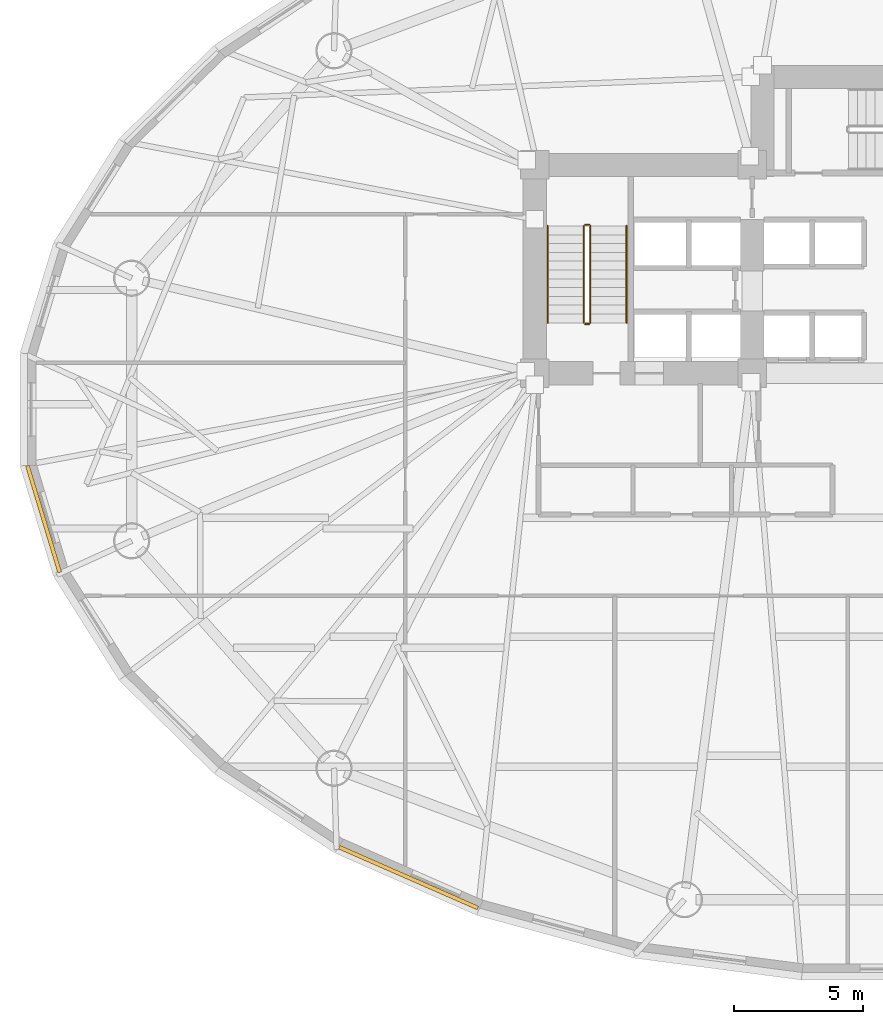
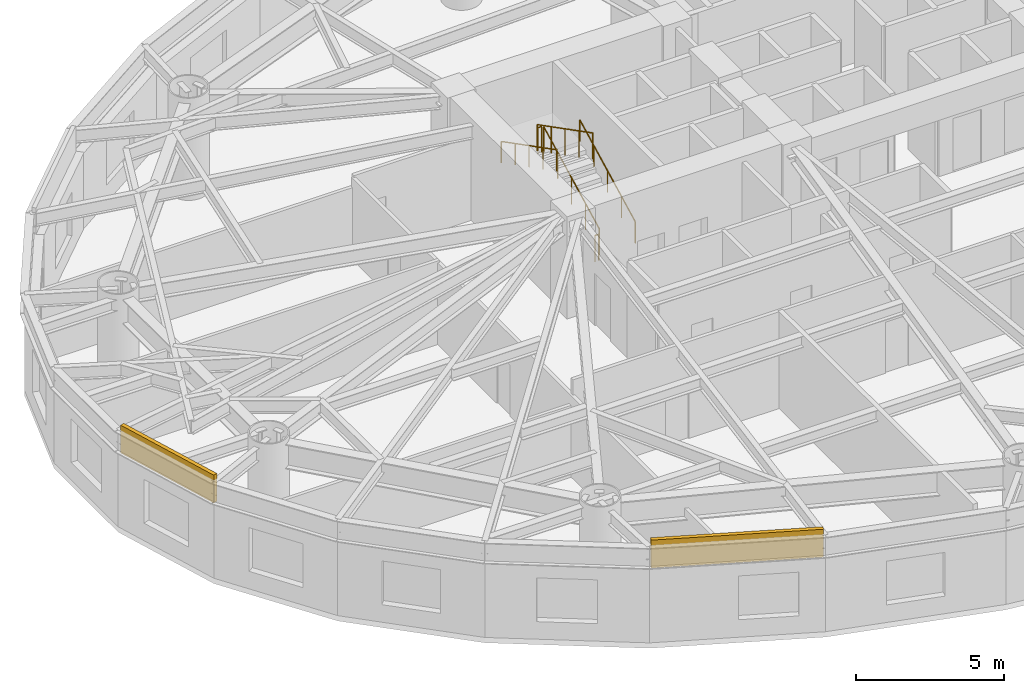
# One storey, part 10 of 14: 6 railings, 2 coverings.
"""IFC4 building model written with IfcOpenShell, lengths in metres."""

from ifc_helpers import new_model, si_unit, direction, frame, origin, origin_2d, place, context, subcontext, project, spatial, rectangle, circle, extrude, material, layer, layer_set, type_object, element, save


model = new_model("IFC4")

# Units and contexts
model_context = context("Model", 3, precision=1e-05, world=origin(), true_north=direction((0.0, 1.0)))
body_context = subcontext(model_context, "Body", "Model", "MODEL_VIEW")
ifc_project = project(units=[si_unit("LENGTHUNIT", "METRE"), si_unit("AREAUNIT", "SQUARE_METRE"), si_unit("VOLUMEUNIT", "CUBIC_METRE"), si_unit("PLANEANGLEUNIT", "RADIAN"), si_unit("MASSUNIT", "GRAM", prefix="KILO")], contexts=[model_context])

# Site, building, storey
site_placement = place(None, origin())
site = spatial("IfcSite", under=ifc_project, at=site_placement, CompositionType="ELEMENT")
building_placement = place(site_placement, origin())
building = spatial("IfcBuilding", under=site, at=building_placement, Name="Keldmark Tower", CompositionType="ELEMENT")
storey_placement = place(building_placement, frame((0.0, 0.0, 14.39990234375)))
storey = spatial("IfcBuildingStorey", under=building, at=storey_placement, Name="L03", CompositionType="ELEMENT", Elevation=14.39990234375)

# Coverings
ifc_material_1 = material(Name="Honed Kasota Buff Dolomitic Limestone", Category="masonry")
ifc_layer = layer(ifc_material_1, 0.074951171875)
ifc_layer_set = layer_set([ifc_layer], Name="Honed Kasota Buff Dolomitic Limestone")
covering_type = type_object("IfcCoveringType", Name="Kasota Buff Limestone Spandrel Cladding Band", PredefinedType="CLADDING", material=ifc_layer_set)
covering_1_placement = place(storey_placement, frame((-32.57373046875, -4.233642578125, 3.033203125), z_axis=(0.0, 0.0, 1.0), x_axis=(0.289883809569, -0.957061845938, 0.0)))
element("IfcCovering", 1, at=covering_1_placement, inside=storey, type_object=covering_type, Name="L03 Kasota Limestone Spandrel Band 17", PredefinedType="CLADDING", context=body_context, shape_type="SweptSolid", body=[
    extrude(rectangle(XDim=4.2998046875, YDim=0.14990234375, at=origin_2d()), origin(), (0.0, 0.0, 1.0), 1.14697265625),
])
covering_2_placement = place(storey_placement, frame((-18.4697265625, -18.085205078125, 3.033203125), z_axis=(0.0, 0.0, 1.0), x_axis=(0.915711693691, -0.401835904367, 0.0)))
element("IfcCovering", 2, at=covering_2_placement, inside=storey, type_object=covering_type, Name="L03 Kasota Limestone Spandrel Band 21", PredefinedType="CLADDING", context=body_context, shape_type="SweptSolid", body=[
    extrude(rectangle(XDim=5.843017578125, YDim=0.14990234375, at=origin_2d()), origin(), (0.0, 0.0, 1.0), 1.14697265625),
])

# Railings
ifc_material_2 = material(Name="Painted Steel ASTM A500 Grade B", Category="steel")
railing_type_1 = type_object("IfcRailingType", Name="Painted Steel Stair Well Guard 1100 mm", PredefinedType="GUARDRAIL", material=ifc_material_2)
railing_1_placement = place(storey_placement, frame((-11.449951171875, 3.35009765625, 0.175048828125)))
element("IfcRailing", 3, at=railing_1_placement, inside=storey, type_object=railing_type_1, Name="L03 ST1 stair guard 1", PredefinedType="GUARDRAIL", context=body_context, shape_type="SweptSolid", body=[
    extrude(circle(Radius=0.02392578125, at=origin_2d()), frame((0.0, 0.0, 1.076171875), z_axis=(0.0, 0.889130600629, 0.457653553493), x_axis=(-1.0, 0.0, 0.0)), (0.0, 0.0, 1.0), 4.206298828125),
    extrude(circle(Radius=0.02099609375, at=origin_2d()), origin(), (0.0, 0.0, 1.0), 1.052001953125),
    extrude(circle(Radius=0.02099609375, at=origin_2d()), frame((0.0, 0.93505859375, 0.481201171875)), (0.0, 0.0, 1.0), 1.052001953125),
    extrude(circle(Radius=0.02099609375, at=origin_2d()), frame((0.0, 1.8701171875, 0.96240234375)), (0.0, 0.0, 1.0), 1.052001953125),
    extrude(circle(Radius=0.02099609375, at=origin_2d()), frame((0.0, 2.804931640625, 1.44384765625)), (0.0, 0.0, 1.0), 1.052001953125),
    extrude(circle(Radius=0.02099609375, at=origin_2d()), frame((0.0, 3.739990234375, 1.925048828125)), (0.0, 0.0, 1.0), 1.052001953125),
])
railing_2_placement = place(storey_placement, frame((-11.5, 7.139892578125, 2.10009765625)))
element("IfcRailing", 4, at=railing_2_placement, inside=storey, type_object=railing_type_1, Name="L03 ST1 stair guard 2", PredefinedType="GUARDRAIL", context=body_context, shape_type="SweptSolid", body=[
    extrude(circle(Radius=0.02392578125, at=origin_2d()), frame((0.0, 0.0, 1.076171875), z_axis=(-1.0, 0.0, 0.0), x_axis=(0.0, -1.0, 0.0)), (0.0, 0.0, 1.0), 0.14990234375),
    extrude(circle(Radius=0.02099609375, at=origin_2d()), origin(), (0.0, 0.0, 1.0), 1.052001953125),
    extrude(circle(Radius=0.02099609375, at=origin_2d()), frame((-0.14990234375, 0.0, 0.0)), (0.0, 0.0, 1.0), 1.052001953125),
])
railing_3_placement = place(storey_placement, frame((-11.699951171875, 7.090087890625, 2.275146484375)))
element("IfcRailing", 5, at=railing_3_placement, inside=storey, type_object=railing_type_1, Name="L03 ST1 stair guard 3", PredefinedType="GUARDRAIL", context=body_context, shape_type="SweptSolid", body=[
    extrude(circle(Radius=0.02392578125, at=origin_2d()), frame((0.0, 0.0, 1.076171875), z_axis=(0.0, -0.889130600629, 0.457653553493), x_axis=(1.0, 0.0, 0.0)), (0.0, 0.0, 1.0), 4.206298828125),
    extrude(circle(Radius=0.02099609375, at=origin_2d()), origin(), (0.0, 0.0, 1.0), 1.052001953125),
    extrude(circle(Radius=0.02099609375, at=origin_2d()), frame((0.0, -0.93505859375, 0.481201171875)), (0.0, 0.0, 1.0), 1.052001953125),
    extrude(circle(Radius=0.02099609375, at=origin_2d()), frame((0.0, -1.8701171875, 0.96240234375)), (0.0, 0.0, 1.0), 1.052001953125),
    extrude(circle(Radius=0.02099609375, at=origin_2d()), frame((0.0, -2.804931640625, 1.44384765625)), (0.0, 0.0, 1.0), 1.052001953125),
    extrude(circle(Radius=0.02099609375, at=origin_2d()), frame((0.0, -3.739990234375, 1.925048828125)), (0.0, 0.0, 1.0), 1.052001953125),
])
railing_4_placement = place(storey_placement, frame((-11.5, 3.300048828125, 0.0)))
element("IfcRailing", 6, at=railing_4_placement, inside=storey, type_object=railing_type_1, Name="L03 ST1 stair guard 4", PredefinedType="GUARDRAIL", context=body_context, shape_type="SweptSolid", body=[
    extrude(circle(Radius=0.02392578125, at=origin_2d()), frame((0.0, 0.0, 1.076171875), z_axis=(-1.0, 0.0, 0.0), x_axis=(0.0, -1.0, 0.0)), (0.0, 0.0, 1.0), 0.14990234375),
    extrude(circle(Radius=0.02099609375, at=origin_2d()), origin(), (0.0, 0.0, 1.0), 1.052001953125),
    extrude(circle(Radius=0.02099609375, at=origin_2d()), frame((-0.14990234375, 0.0, 0.0)), (0.0, 0.0, 1.0), 1.052001953125),
])
ifc_material_3 = material(Name="Stainless Steel AISI 316L", Category="steel")
railing_type_2 = type_object("IfcRailingType", Name="Stainless Steel Stair Handrail 900 mm", PredefinedType="HANDRAIL", material=ifc_material_3)
railing_5_placement = place(storey_placement, frame((-10.050048828125, 3.35009765625, 0.175048828125)))
element("IfcRailing", 7, at=railing_5_placement, inside=storey, type_object=railing_type_2, Name="L03 ST1 stair handrail 1", PredefinedType="HANDRAIL", context=body_context, shape_type="SweptSolid", body=[
    extrude(circle(Radius=0.02392578125, at=origin_2d()), frame((0.0, 0.0, 0.8759765625), z_axis=(0.0, 0.889130600629, 0.457653553493), x_axis=(-1.0, 0.0, 0.0)), (0.0, 0.0, 1.0), 4.206298828125),
    extrude(circle(Radius=0.02099609375, at=origin_2d()), origin(), (0.0, 0.0, 1.0), 0.851806640625),
    extrude(circle(Radius=0.02099609375, at=origin_2d()), frame((0.0, 0.93505859375, 0.481201171875)), (0.0, 0.0, 1.0), 0.851806640625),
    extrude(circle(Radius=0.02099609375, at=origin_2d()), frame((0.0, 1.8701171875, 0.96240234375)), (0.0, 0.0, 1.0), 0.851806640625),
    extrude(circle(Radius=0.02099609375, at=origin_2d()), frame((0.0, 2.804931640625, 1.44384765625)), (0.0, 0.0, 1.0), 0.851806640625),
    extrude(circle(Radius=0.02099609375, at=origin_2d()), frame((0.0, 3.739990234375, 1.925048828125)), (0.0, 0.0, 1.0), 0.851806640625),
])
railing_6_placement = place(storey_placement, frame((-13.10009765625, 7.090087890625, 2.275146484375)))
element("IfcRailing", 8, at=railing_6_placement, inside=storey, type_object=railing_type_2, Name="L03 ST1 stair handrail 2", PredefinedType="HANDRAIL", context=body_context, shape_type="SweptSolid", body=[
    extrude(circle(Radius=0.02392578125, at=origin_2d()), frame((0.0, 0.0, 0.8759765625), z_axis=(0.0, -0.889130600629, 0.457653553493), x_axis=(1.0, 0.0, 0.0)), (0.0, 0.0, 1.0), 4.206298828125),
    extrude(circle(Radius=0.02099609375, at=origin_2d()), origin(), (0.0, 0.0, 1.0), 0.851806640625),
    extrude(circle(Radius=0.02099609375, at=origin_2d()), frame((0.0, -0.93505859375, 0.481201171875)), (0.0, 0.0, 1.0), 0.851806640625),
    extrude(circle(Radius=0.02099609375, at=origin_2d()), frame((0.0, -1.8701171875, 0.96240234375)), (0.0, 0.0, 1.0), 0.851806640625),
    extrude(circle(Radius=0.02099609375, at=origin_2d()), frame((0.0, -2.804931640625, 1.44384765625)), (0.0, 0.0, 1.0), 0.851806640625),
    extrude(circle(Radius=0.02099609375, at=origin_2d()), frame((0.0, -3.739990234375, 1.925048828125)), (0.0, 0.0, 1.0), 0.851806640625),
])

save(model, "model.ifc")
